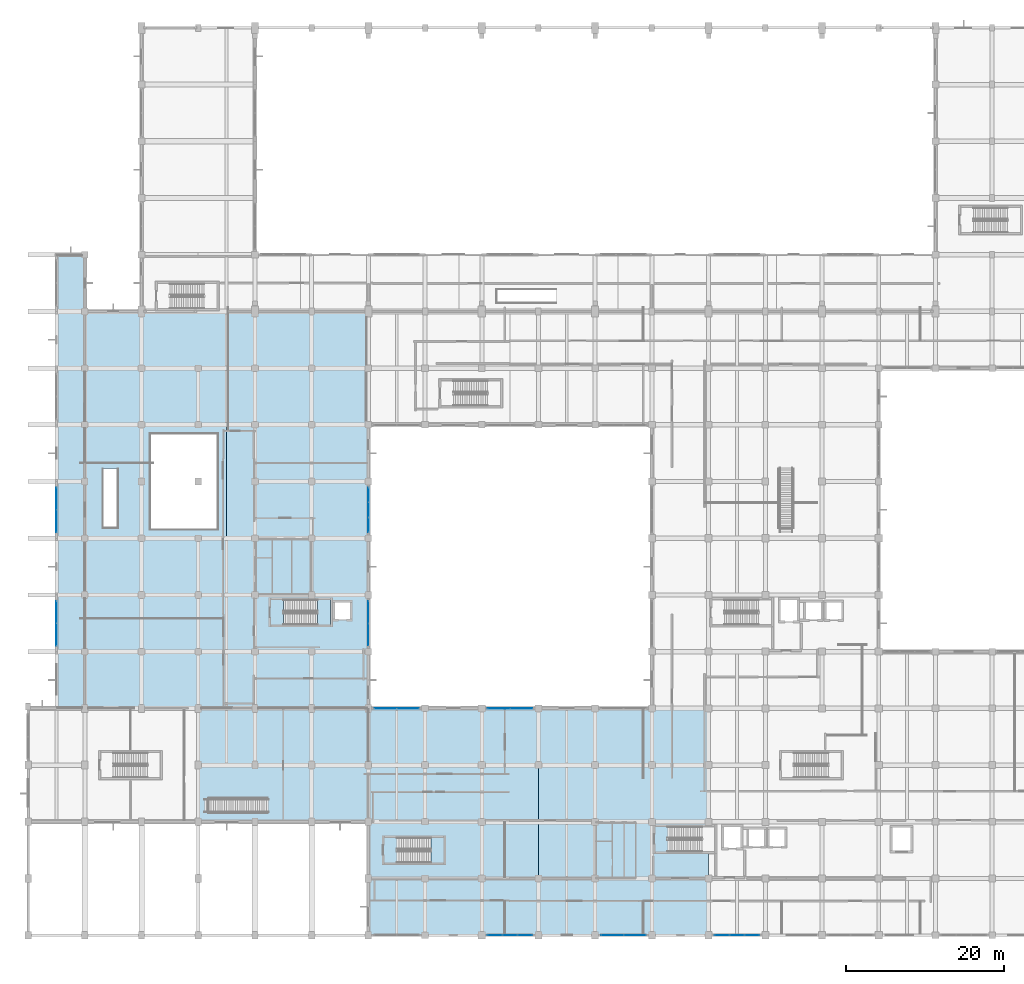
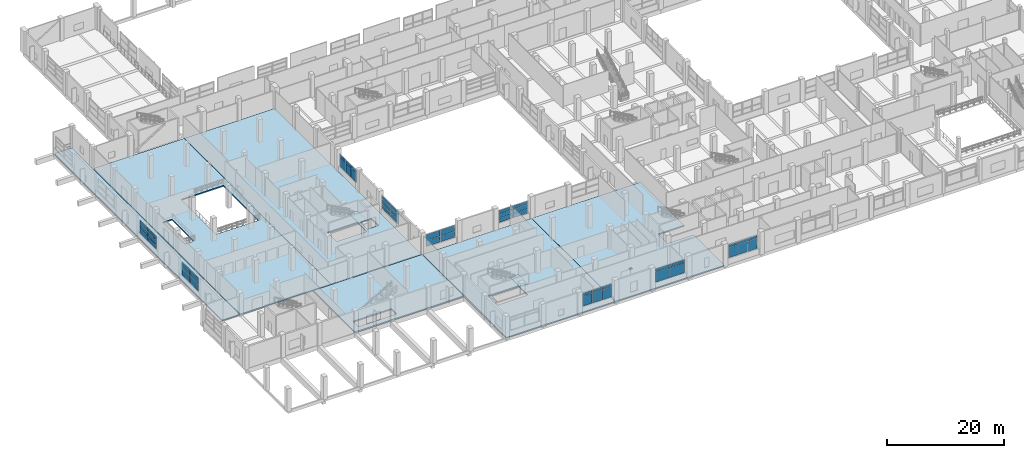
# One storey, part 146 of 181: 48 plates, 8 slabs, 11 elements without a shape of their own.
"""IFC4 building model written with IfcOpenShell, lengths in metres."""

import ifcopenshell
import ifcopenshell.guid

model = None  # the IFC model being written
_history = None  # IfcOwnerHistory: only IFC2X3 demands one
_inside = {}  # id of a spatial element -> (the spatial element, [elements in it])
_under = {}  # id of a project, library or spatial element -> (it, [spatial elements below it])
_declared = {}  # id of a project -> (the project, [libraries it declares])
_typed = {}  # id of a type object -> (the type object, [elements of that type])
_made_of = {}  # id of a material, layer set ... -> (it, [elements and type objects made of it])


def new_model(schema):
    """Start an empty IFC model of exactly this schema.

    Asked for "IFC4X3", IfcOpenShell would pick the latest addendum, in which some entities
    have other attributes; the version numbers below select the first issue.
    IFC2X3 requires an IfcOwnerHistory on every rooted entity: one is made here for all.
    """
    global model, _history
    if schema == "IFC4X3":
        model = ifcopenshell.file(schema_version=(4, 3, 0, 0))
    else:
        model = ifcopenshell.file(schema=schema)
    _inside.clear()
    _under.clear()
    _declared.clear()
    _typed.clear()
    _made_of.clear()
    _history = None
    if model.schema == "IFC2X3":
        org = make("IfcOrganization", Name="unknown")
        user = make(
            "IfcPersonAndOrganization",
            ThePerson=make("IfcPerson", FamilyName="unknown"),
            TheOrganization=org,
        )
        app = make(
            "IfcApplication",
            ApplicationDeveloper=org,
            Version="unknown",
            ApplicationFullName="unknown",
            ApplicationIdentifier="unknown",
        )
        _history = make(
            "IfcOwnerHistory",
            OwningUser=user,
            OwningApplication=app,
            ChangeAction="ADDED",
            CreationDate=0,
        )
    return model


def make(cls, **values):
    """One entity of the class cls with the attributes given. An attribute that is None is left unset."""
    return model.create_entity(
        cls, **{name: value for name, value in values.items() if value is not None}
    )


def rooted(cls, **values):
    """An entity with a GlobalId (a new one), such as an element, a storey or a relation."""
    return make(cls, GlobalId=ifcopenshell.guid.new(), OwnerHistory=_history, **values)


def si_unit(unit_type, name, prefix=None):
    """IfcSIUnit, for example si_unit("LENGTHUNIT", "METRE", prefix="MILLI")."""
    return make("IfcSIUnit", UnitType=unit_type, Prefix=prefix, Name=name)


def assignment(units):
    """IfcUnitAssignment: the units of a project."""
    return None if units is None else make("IfcUnitAssignment", Units=units)


def point(xyz):
    """IfcCartesianPoint."""
    return None if xyz is None else make("IfcCartesianPoint", Coordinates=xyz)


def direction(xyz):
    """IfcDirection."""
    return None if xyz is None else make("IfcDirection", DirectionRatios=xyz)


def frame(location, z_axis=None, x_axis=None):
    """IfcAxis2Placement3D, a coordinate frame: its origin and axes. An axis left out is left unset."""
    return make(
        "IfcAxis2Placement3D",
        Location=point(location),
        Axis=direction(z_axis),
        RefDirection=direction(x_axis),
    )


def frame_2d(location, x_axis=None):
    """IfcAxis2Placement2D, a coordinate frame in the plane: its origin and x axis."""
    return make(
        "IfcAxis2Placement2D", Location=point(location), RefDirection=direction(x_axis)
    )


def origin():
    """The frame at (0, 0, 0) with its axes left unset."""
    return frame((0.0, 0.0, 0.0))


def origin_2d():
    """The frame at (0, 0) in the plane with its x axis left unset."""
    return frame_2d((0.0, 0.0))


def place(relative_to, where):
    """IfcLocalPlacement: puts the frame where relative to a parent placement (None: the world)."""
    return make(
        "IfcLocalPlacement", PlacementRelTo=relative_to, RelativePlacement=where
    )


def context(
    kind, dimensions, precision=None, world=None, true_north=None, identifier=None
):
    """IfcGeometricRepresentationContext, for example the 3D "Model" context."""
    return make(
        "IfcGeometricRepresentationContext",
        ContextIdentifier=identifier,
        ContextType=kind,
        CoordinateSpaceDimension=dimensions,
        Precision=precision,
        WorldCoordinateSystem=world,
        TrueNorth=true_north,
    )


def subcontext(parent, identifier, kind, view, scale=None):
    """IfcGeometricRepresentationSubContext, for example "Body" below "Model"."""
    return make(
        "IfcGeometricRepresentationSubContext",
        ContextIdentifier=identifier,
        ContextType=kind,
        ParentContext=parent,
        TargetScale=scale,
        TargetView=view,
    )


def project(units=None, contexts=None):
    """IfcProject with its units and contexts."""
    return rooted(
        "IfcProject",
        Name="project",
        RepresentationContexts=contexts,
        UnitsInContext=assignment(units),
    )


def spatial(cls, under=None, at=None, **own):
    """A site, building, storey or space (cls), placed at a placement, below another one or the project."""
    s = rooted(cls, ObjectPlacement=at, **own)
    if under is not None:
        _under.setdefault(under.id(), (under, []))[1].append(s)
    return s


def polyline(points):
    """IfcPolyline through the points."""
    return make("IfcPolyline", Points=[point(p) for p in points])


def profile(cls, at=None, kind="AREA", **sizes):
    """A parametric profile (cls). Its sizes go by their IFC names, for example OverallWidth=200.0."""
    return make(cls, ProfileType=kind, Position=at, **sizes)


def rectangle(**sizes):
    """IfcRectangleProfileDef."""
    return profile("IfcRectangleProfileDef", **sizes)


def outline(outer, holes=None, kind="AREA"):
    """IfcArbitraryClosedProfileDef: a profile drawn as a closed curve; with holes, ...WithVoids."""
    if holes is None:
        return make("IfcArbitraryClosedProfileDef", ProfileType=kind, OuterCurve=outer)
    return make(
        "IfcArbitraryProfileDefWithVoids",
        ProfileType=kind,
        OuterCurve=outer,
        InnerCurves=holes,
    )


def extrude(swept, where, along, depth):
    """IfcExtrudedAreaSolid: the profile swept, set in the frame where, extruded along a direction by depth."""
    return make(
        "IfcExtrudedAreaSolid",
        SweptArea=swept,
        Position=where,
        ExtrudedDirection=direction(along),
        Depth=depth,
    )


def shape(context_of_items, identifier, shape_type, items):
    """IfcShapeRepresentation: the items that make up one representation, for example the "Body"."""
    return make(
        "IfcShapeRepresentation",
        ContextOfItems=context_of_items,
        RepresentationIdentifier=identifier,
        RepresentationType=shape_type,
        Items=items,
    )


def material(Name=None, Category=None):
    """IfcMaterial."""
    return make("IfcMaterial", Name=Name, Category=Category)


def layer(
    of_material, thickness, ventilated=None, Name=None, Category=None, Priority=None
):
    """IfcMaterialLayer: one layer of a wall or slab, of a material (None: an air gap)."""
    return make(
        "IfcMaterialLayer",
        Material=of_material,
        LayerThickness=thickness,
        IsVentilated=ventilated,
        Name=Name,
        Category=Category,
        Priority=Priority,
    )


def layer_set(layers, Name=None):
    """IfcMaterialLayerSet."""
    return make("IfcMaterialLayerSet", MaterialLayers=layers, LayerSetName=Name)


def made_of(thing, what):
    """Note that an element or type object is made of a material, layer set ...; save() writes the relation."""
    if what is not None:
        _made_of.setdefault(what.id(), (what, []))[1].append(thing)
    return thing


def type_object(cls, material=None, **own):
    """A type object (cls), such as IfcWallType, which elements share."""
    return made_of(rooted(cls, **own), material)


def element(
    cls,
    number,
    at=None,
    inside=None,
    cuts=None,
    type_object=None,
    material=None,
    context=None,
    identifier="Body",
    shape_type=None,
    held_by="IfcProductDefinitionShape",
    body=None,
    shapes=None,
    **own,
):
    """One element of the class cls, such as IfcWall. Its Tag is "e" and its number.

    at: its placement. inside: the storey or other place that contains it. cuts: it is an
    opening in that element (IfcRelVoidsElement). A single representation is given by context,
    identifier, shape_type and body (its items); several are given by shapes. held_by: the class
    of the entity that holds the representations. save() writes the other relations.
    """
    e = rooted(cls, Tag="e%d" % number, ObjectPlacement=at, **own)
    if body is not None:
        shapes = [shape(context, identifier, shape_type, body)]
    if shapes is not None:
        e.Representation = make(held_by, Representations=shapes)
    if inside is not None:
        _inside.setdefault(inside.id(), (inside, []))[1].append(e)
    if cuts is not None:
        rooted(
            "IfcRelVoidsElement", RelatingBuildingElement=cuts, RelatedOpeningElement=e
        )
    if type_object is not None:
        _typed.setdefault(type_object.id(), (type_object, []))[1].append(e)
    return made_of(e, material)


def aggregate(whole, parts):
    """IfcRelAggregates: a whole, such as a stair, and the parts it consists of."""
    return rooted("IfcRelAggregates", RelatingObject=whole, RelatedObjects=parts)


def save(model, path):
    """Write the relations noted so far, then the file.

    IfcRelAggregates (storeys below a building ...), IfcRelContainedInSpatialStructure (elements
    in a storey), IfcRelDefinesByType, IfcRelAssociatesMaterial and IfcRelDeclares: one each for
    every whole, place, type object, material and project.
    """
    for whole, parts in _under.values():
        aggregate(whole, parts)
    for where, things in _inside.values():
        rooted(
            "IfcRelContainedInSpatialStructure",
            RelatedElements=things,
            RelatingStructure=where,
        )
    for kind, things in _typed.values():
        rooted("IfcRelDefinesByType", RelatedObjects=things, RelatingType=kind)
    for what, things in _made_of.values():
        rooted("IfcRelAssociatesMaterial", RelatedObjects=things, RelatingMaterial=what)
    for by, libraries in _declared.values():
        rooted("IfcRelDeclares", RelatingContext=by, RelatedDefinitions=libraries)
    model.write(path)


model = new_model("IFC4")

# Units and contexts
model_context = context("Model", 3, precision=1e-05, world=origin(), true_north=direction((0.0, 1.0)))
body_context = subcontext(model_context, "Body", "Model", "MODEL_VIEW")
ifc_project = project(units=[si_unit("LENGTHUNIT", "METRE"), si_unit("AREAUNIT", "SQUARE_METRE"), si_unit("VOLUMEUNIT", "CUBIC_METRE"), si_unit("PLANEANGLEUNIT", "RADIAN"), si_unit("MASSUNIT", "GRAM", prefix="KILO")], contexts=[model_context])

# Site, building, storey
site_placement = place(None, origin())
site = spatial("IfcSite", under=ifc_project, at=site_placement, CompositionType="ELEMENT")
building_placement = place(site_placement, origin())
building = spatial("IfcBuilding", under=site, at=building_placement, Name="Seraya Terrace Polytechnic", CompositionType="ELEMENT")
storey_placement = place(building_placement, frame((0.0, 0.0, 4.800048828125)))
storey = spatial("IfcBuildingStorey", under=building, at=storey_placement, Name="L01", CompositionType="ELEMENT", Elevation=4.800048828125)

# Curtain wall, plates
ifc_material_1 = material(Name="Anodised aluminium EN AW-6063 T6", Category="aluminium")
ifc_layer_1 = layer(ifc_material_1, 0.179931640625, Name="CW-34")
ifc_layer_set_1 = layer_set([ifc_layer_1], Name="Anodised aluminium EN AW-6063 T6")
curtain_wall_type_1 = type_object("IfcCurtainWallType", Name="CW-34", PredefinedType="NOTDEFINED", material=ifc_layer_set_1)
curtain_wall_1_placement = place(storey_placement, origin())
curtain_wall_1 = element("IfcCurtainWall", 1, at=curtain_wall_1_placement, inside=storey, type_object=curtain_wall_type_1, Name="Unitised curtain wall CW-34 (CW-L01-034)", PredefinedType="NOTDEFINED")
ifc_material_2 = material(Name="Laminated solar-control Low-E double glazing", Category="glass")
ifc_layer_2 = layer(ifc_material_2, 0.028076171875, Name="CWP-01")
ifc_layer_set_2 = layer_set([ifc_layer_2], Name="Laminated solar-control Low-E double glazing")
plate_type_1 = type_object("IfcPlateType", Name="CWP-01", PredefinedType="CURTAIN_PANEL", material=ifc_layer_set_2)
plate_1_placement = place(storey_placement, frame((63.103759765625, 0.0, 1.2998046875), z_axis=(0.0, 0.0, 1.0), x_axis=(-1.0, 0.0, 0.0)))
plate_1 = element("IfcPlate", 2, at=plate_1_placement, type_object=plate_type_1, Name="CW-34 panel 1.1", PredefinedType="CURTAIN_PANEL", context=body_context, shape_type="SweptSolid", body=[
    extrude(rectangle(XDim=1.822509765625, YDim=0.028076171875, at=origin_2d()), origin(), (0.0, 0.0, 1.0), 2.050048828125),
])
plate_2_placement = place(storey_placement, frame((63.103759765625, 0.0, 3.41015625), z_axis=(0.0, 0.0, 1.0), x_axis=(-1.0, 0.0, 0.0)))
plate_2 = element("IfcPlate", 3, at=plate_2_placement, type_object=plate_type_1, Name="CW-34 panel 1.2", PredefinedType="CURTAIN_PANEL", context=body_context, shape_type="SweptSolid", body=[
    extrude(rectangle(XDim=1.822509765625, YDim=0.028076171875, at=origin_2d()), origin(), (0.0, 0.0, 1.0), 0.530029296875),
])
plate_3_placement = place(storey_placement, frame((61.199951171875, 0.0, 1.2998046875), z_axis=(0.0, 0.0, 1.0), x_axis=(-1.0, 0.0, 0.0)))
plate_3 = element("IfcPlate", 4, at=plate_3_placement, type_object=plate_type_1, Name="CW-34 panel 2.1", PredefinedType="CURTAIN_PANEL", context=body_context, shape_type="SweptSolid", body=[
    extrude(rectangle(XDim=1.85498046875, YDim=0.028076171875, at=origin_2d()), origin(), (0.0, 0.0, 1.0), 2.050048828125),
])
plate_4_placement = place(storey_placement, frame((61.199951171875, 0.0, 3.41015625), z_axis=(0.0, 0.0, 1.0), x_axis=(-1.0, 0.0, 0.0)))
plate_4 = element("IfcPlate", 5, at=plate_4_placement, type_object=plate_type_1, Name="CW-34 panel 2.2", PredefinedType="CURTAIN_PANEL", context=body_context, shape_type="SweptSolid", body=[
    extrude(rectangle(XDim=1.85498046875, YDim=0.028076171875, at=origin_2d()), origin(), (0.0, 0.0, 1.0), 0.530029296875),
])
plate_5_placement = place(storey_placement, frame((59.296142578125, 0.0, 1.2998046875), z_axis=(0.0, 0.0, 1.0), x_axis=(-1.0, 0.0, 0.0)))
plate_5 = element("IfcPlate", 6, at=plate_5_placement, type_object=plate_type_1, Name="CW-34 panel 3.1", PredefinedType="CURTAIN_PANEL", context=body_context, shape_type="SweptSolid", body=[
    extrude(rectangle(XDim=1.822509765625, YDim=0.028076171875, at=origin_2d()), origin(), (0.0, 0.0, 1.0), 2.050048828125),
])
plate_6_placement = place(storey_placement, frame((59.296142578125, 0.0, 3.41015625), z_axis=(0.0, 0.0, 1.0), x_axis=(-1.0, 0.0, 0.0)))
plate_6 = element("IfcPlate", 7, at=plate_6_placement, type_object=plate_type_1, Name="CW-34 panel 3.2", PredefinedType="CURTAIN_PANEL", context=body_context, shape_type="SweptSolid", body=[
    extrude(rectangle(XDim=1.822509765625, YDim=0.028076171875, at=origin_2d()), origin(), (0.0, 0.0, 1.0), 0.530029296875),
])
aggregate(curtain_wall_1, [plate_1, plate_2, plate_3, plate_4, plate_5, plate_6])

ifc_layer_3 = layer(ifc_material_1, 0.179931640625, Name="CW-01")
ifc_layer_set_3 = layer_set([ifc_layer_3], Name="Anodised aluminium EN AW-6063 T6")
curtain_wall_type_2 = type_object("IfcCurtainWallType", Name="CW-01", PredefinedType="NOTDEFINED", material=ifc_layer_set_3)
curtain_wall_2_placement = place(storey_placement, origin())
curtain_wall_2 = element("IfcCurtainWall", 8, at=curtain_wall_2_placement, inside=storey, type_object=curtain_wall_type_2, Name="Unitised curtain wall CW-01 (CW-L01-037)", PredefinedType="NOTDEFINED")
plate_7_placement = place(storey_placement, frame((43.199951171875, 41.023681640625, 1.2998046875), z_axis=(0.0, 0.0, 1.0), x_axis=(0.0, -1.0, 0.0)))
plate_7 = element("IfcPlate", 9, at=plate_7_placement, type_object=plate_type_1, Name="CW-01 panel 1.1", PredefinedType="CURTAIN_PANEL", context=body_context, shape_type="SweptSolid", body=[
    extrude(rectangle(XDim=2.782470703125, YDim=0.028076171875, at=origin_2d()), origin(), (0.0, 0.0, 1.0), 0.92529296875),
])
plate_8_placement = place(storey_placement, frame((43.199951171875, 41.023681640625, 2.28515625), z_axis=(0.0, 0.0, 1.0), x_axis=(0.0, -1.0, 0.0)))
plate_8 = element("IfcPlate", 10, at=plate_8_placement, type_object=plate_type_1, Name="CW-01 panel 1.2", PredefinedType="CURTAIN_PANEL", context=body_context, shape_type="SweptSolid", body=[
    extrude(rectangle(XDim=2.782470703125, YDim=0.028076171875, at=origin_2d()), origin(), (0.0, 0.0, 1.0), 0.955078125),
])
plate_9_placement = place(storey_placement, frame((43.199951171875, 41.023681640625, 3.30029296875), z_axis=(0.0, 0.0, 1.0), x_axis=(0.0, -1.0, 0.0)))
plate_9 = element("IfcPlate", 11, at=plate_9_placement, type_object=plate_type_1, Name="CW-01 panel 1.3", PredefinedType="CURTAIN_PANEL", context=body_context, shape_type="SweptSolid", body=[
    extrude(rectangle(XDim=2.782470703125, YDim=0.028076171875, at=origin_2d()), origin(), (0.0, 0.0, 1.0), 0.69970703125),
])
plate_10_placement = place(storey_placement, frame((43.199951171875, 38.17626953125, 1.2998046875), z_axis=(0.0, 0.0, 1.0), x_axis=(0.0, -1.0, 0.0)))
plate_10 = element("IfcPlate", 12, at=plate_10_placement, type_object=plate_type_1, Name="CW-01 panel 2.1", PredefinedType="CURTAIN_PANEL", context=body_context, shape_type="SweptSolid", body=[
    extrude(rectangle(XDim=2.782470703125, YDim=0.028076171875, at=origin_2d()), origin(), (0.0, 0.0, 1.0), 0.92529296875),
])
plate_11_placement = place(storey_placement, frame((43.199951171875, 38.17626953125, 2.28515625), z_axis=(0.0, 0.0, 1.0), x_axis=(0.0, -1.0, 0.0)))
plate_11 = element("IfcPlate", 13, at=plate_11_placement, type_object=plate_type_1, Name="CW-01 panel 2.2", PredefinedType="CURTAIN_PANEL", context=body_context, shape_type="SweptSolid", body=[
    extrude(rectangle(XDim=2.782470703125, YDim=0.028076171875, at=origin_2d()), origin(), (0.0, 0.0, 1.0), 0.955078125),
])
plate_12_placement = place(storey_placement, frame((43.199951171875, 38.17626953125, 3.30029296875), z_axis=(0.0, 0.0, 1.0), x_axis=(0.0, -1.0, 0.0)))
plate_12 = element("IfcPlate", 14, at=plate_12_placement, type_object=plate_type_1, Name="CW-01 panel 2.3", PredefinedType="CURTAIN_PANEL", context=body_context, shape_type="SweptSolid", body=[
    extrude(rectangle(XDim=2.782470703125, YDim=0.028076171875, at=origin_2d()), origin(), (0.0, 0.0, 1.0), 0.69970703125),
])
aggregate(curtain_wall_2, [plate_7, plate_8, plate_9, plate_10, plate_11, plate_12])

ifc_layer_4 = layer(ifc_material_1, 0.179931640625, Name="CW-02")
ifc_layer_set_4 = layer_set([ifc_layer_4], Name="Anodised aluminium EN AW-6063 T6")
curtain_wall_type_3 = type_object("IfcCurtainWallType", Name="CW-02", PredefinedType="NOTDEFINED", material=ifc_layer_set_4)
curtain_wall_3_placement = place(storey_placement, origin())
curtain_wall_3 = element("IfcCurtainWall", 15, at=curtain_wall_3_placement, inside=storey, type_object=curtain_wall_type_3, Name="Unitised curtain wall CW-02 (CW-L01-002)", PredefinedType="NOTDEFINED")
ifc_layer_5 = layer(ifc_material_2, 0.031982421875, Name="CWP-02")
ifc_layer_set_5 = layer_set([ifc_layer_5], Name="Laminated solar-control Low-E double glazing")
plate_type_2 = type_object("IfcPlateType", Name="CWP-02", PredefinedType="CURTAIN_PANEL", material=ifc_layer_set_5)
plate_13_placement = place(storey_placement, frame((3.60009765625, 38.175048828125, 1.2998046875), z_axis=(0.0, 0.0, 1.0), x_axis=(0.0, 1.0, 0.0)))
plate_13 = element("IfcPlate", 16, at=plate_13_placement, type_object=plate_type_2, Name="CW-02 panel 1.1", PredefinedType="CURTAIN_PANEL", context=body_context, shape_type="SweptSolid", body=[
    extrude(rectangle(XDim=2.7900390625, YDim=0.031982421875, at=origin_2d()), origin(), (0.0, 0.0, 1.0), 1.330078125),
])
plate_14_placement = place(storey_placement, frame((3.60009765625, 38.175048828125, 2.68994140625), z_axis=(0.0, 0.0, 1.0), x_axis=(0.0, 1.0, 0.0)))
plate_14 = element("IfcPlate", 17, at=plate_14_placement, type_object=plate_type_2, Name="CW-02 panel 1.2", PredefinedType="CURTAIN_PANEL", context=body_context, shape_type="SweptSolid", body=[
    extrude(rectangle(XDim=2.7900390625, YDim=0.031982421875, at=origin_2d()), origin(), (0.0, 0.0, 1.0), 1.330078125),
])
plate_15_placement = place(storey_placement, frame((3.60009765625, 41.02490234375, 1.2998046875), z_axis=(0.0, 0.0, 1.0), x_axis=(0.0, 1.0, 0.0)))
plate_15 = element("IfcPlate", 18, at=plate_15_placement, type_object=plate_type_2, Name="CW-02 panel 2.1", PredefinedType="CURTAIN_PANEL", context=body_context, shape_type="SweptSolid", body=[
    extrude(rectangle(XDim=2.7900390625, YDim=0.031982421875, at=origin_2d()), origin(), (0.0, 0.0, 1.0), 1.330078125),
])
plate_16_placement = place(storey_placement, frame((3.60009765625, 41.02490234375, 2.68994140625), z_axis=(0.0, 0.0, 1.0), x_axis=(0.0, 1.0, 0.0)))
plate_16 = element("IfcPlate", 19, at=plate_16_placement, type_object=plate_type_2, Name="CW-02 panel 2.2", PredefinedType="CURTAIN_PANEL", context=body_context, shape_type="SweptSolid", body=[
    extrude(rectangle(XDim=2.7900390625, YDim=0.031982421875, at=origin_2d()), origin(), (0.0, 0.0, 1.0), 1.330078125),
])
aggregate(curtain_wall_3, [plate_13, plate_14, plate_15, plate_16])

ifc_layer_6 = layer(ifc_material_1, 0.179931640625, Name="CW-32")
ifc_layer_set_6 = layer_set([ifc_layer_6], Name="Anodised aluminium EN AW-6063 T6")
curtain_wall_type_4 = type_object("IfcCurtainWallType", Name="CW-32", PredefinedType="NOTDEFINED", material=ifc_layer_set_6)
curtain_wall_4_placement = place(storey_placement, origin())
curtain_wall_4 = element("IfcCurtainWall", 20, at=curtain_wall_4_placement, inside=storey, type_object=curtain_wall_type_4, Name="Unitised curtain wall CW-32 (CW-L01-032)", PredefinedType="NOTDEFINED")
plate_17_placement = place(storey_placement, frame((91.905029296875, 0.0, 1.300048828125), z_axis=(0.0, 0.0, 1.0), x_axis=(-1.0, 0.0, 0.0)))
plate_17 = element("IfcPlate", 21, at=plate_17_placement, type_object=plate_type_2, Name="CW-32 panel 1.1", PredefinedType="CURTAIN_PANEL", context=body_context, shape_type="SweptSolid", body=[
    extrude(rectangle(XDim=1.830078125, YDim=0.031982421875, at=origin_2d()), origin(), (0.0, 0.0, 1.0), 2.1298828125),
])
plate_18_placement = place(storey_placement, frame((91.905029296875, 0.0, 3.48974609375), z_axis=(0.0, 0.0, 1.0), x_axis=(-1.0, 0.0, 0.0)))
plate_18 = element("IfcPlate", 22, at=plate_18_placement, type_object=plate_type_2, Name="CW-32 panel 1.2", PredefinedType="CURTAIN_PANEL", context=body_context, shape_type="SweptSolid", body=[
    extrude(rectangle(XDim=1.830078125, YDim=0.031982421875, at=origin_2d()), origin(), (0.0, 0.0, 1.0), 0.530029296875),
])
plate_19_placement = place(storey_placement, frame((90.0, 0.0, 1.300048828125), z_axis=(0.0, 0.0, 1.0), x_axis=(-1.0, 0.0, 0.0)))
plate_19 = element("IfcPlate", 23, at=plate_19_placement, type_object=plate_type_2, Name="CW-32 panel 2.1", PredefinedType="CURTAIN_PANEL", context=body_context, shape_type="SweptSolid", body=[
    extrude(rectangle(XDim=1.860107421875, YDim=0.031982421875, at=origin_2d()), origin(), (0.0, 0.0, 1.0), 2.1298828125),
])
plate_20_placement = place(storey_placement, frame((90.0, 0.0, 3.48974609375), z_axis=(0.0, 0.0, 1.0), x_axis=(-1.0, 0.0, 0.0)))
plate_20 = element("IfcPlate", 24, at=plate_20_placement, type_object=plate_type_2, Name="CW-32 panel 2.2", PredefinedType="CURTAIN_PANEL", context=body_context, shape_type="SweptSolid", body=[
    extrude(rectangle(XDim=1.860107421875, YDim=0.031982421875, at=origin_2d()), origin(), (0.0, 0.0, 1.0), 0.530029296875),
])
plate_21_placement = place(storey_placement, frame((88.094970703125, 0.0, 1.300048828125), z_axis=(0.0, 0.0, 1.0), x_axis=(-1.0, 0.0, 0.0)))
plate_21 = element("IfcPlate", 25, at=plate_21_placement, type_object=plate_type_2, Name="CW-32 panel 3.1", PredefinedType="CURTAIN_PANEL", context=body_context, shape_type="SweptSolid", body=[
    extrude(rectangle(XDim=1.830078125, YDim=0.031982421875, at=origin_2d()), origin(), (0.0, 0.0, 1.0), 2.1298828125),
])
plate_22_placement = place(storey_placement, frame((88.094970703125, 0.0, 3.48974609375), z_axis=(0.0, 0.0, 1.0), x_axis=(-1.0, 0.0, 0.0)))
plate_22 = element("IfcPlate", 26, at=plate_22_placement, type_object=plate_type_2, Name="CW-32 panel 3.2", PredefinedType="CURTAIN_PANEL", context=body_context, shape_type="SweptSolid", body=[
    extrude(rectangle(XDim=1.830078125, YDim=0.031982421875, at=origin_2d()), origin(), (0.0, 0.0, 1.0), 0.530029296875),
])
aggregate(curtain_wall_4, [plate_17, plate_18, plate_19, plate_20, plate_21, plate_22])

curtain_wall_5_placement = place(storey_placement, origin())
curtain_wall_5 = element("IfcCurtainWall", 27, at=curtain_wall_5_placement, inside=storey, type_object=curtain_wall_type_3, Name="Unitised curtain wall CW-02 (CW-L01-038)", PredefinedType="NOTDEFINED")
plate_23_placement = place(storey_placement, frame((45.375, 28.800048828125, 1.300048828125), z_axis=(0.0, 0.0, 1.0), x_axis=(1.0, 0.0, 0.0)))
plate_23 = element("IfcPlate", 28, at=plate_23_placement, type_object=plate_type_2, Name="CW-02 panel 1.1", PredefinedType="CURTAIN_PANEL", context=body_context, shape_type="SweptSolid", body=[
    extrude(rectangle(XDim=2.7900390625, YDim=0.031982421875, at=origin_2d()), origin(), (0.0, 0.0, 1.0), 1.22998046875),
])
plate_24_placement = place(storey_placement, frame((45.375, 28.800048828125, 2.58984375), z_axis=(0.0, 0.0, 1.0), x_axis=(1.0, 0.0, 0.0)))
plate_24 = element("IfcPlate", 29, at=plate_24_placement, type_object=plate_type_2, Name="CW-02 panel 1.2", PredefinedType="CURTAIN_PANEL", context=body_context, shape_type="SweptSolid", body=[
    extrude(rectangle(XDim=2.7900390625, YDim=0.031982421875, at=origin_2d()), origin(), (0.0, 0.0, 1.0), 1.22998046875),
])
plate_25_placement = place(storey_placement, frame((48.22509765625, 28.800048828125, 1.300048828125), z_axis=(0.0, 0.0, 1.0), x_axis=(1.0, 0.0, 0.0)))
plate_25 = element("IfcPlate", 30, at=plate_25_placement, type_object=plate_type_2, Name="CW-02 panel 2.1", PredefinedType="CURTAIN_PANEL", context=body_context, shape_type="SweptSolid", body=[
    extrude(rectangle(XDim=2.7900390625, YDim=0.031982421875, at=origin_2d()), origin(), (0.0, 0.0, 1.0), 1.22998046875),
])
plate_26_placement = place(storey_placement, frame((48.22509765625, 28.800048828125, 2.58984375), z_axis=(0.0, 0.0, 1.0), x_axis=(1.0, 0.0, 0.0)))
plate_26 = element("IfcPlate", 31, at=plate_26_placement, type_object=plate_type_2, Name="CW-02 panel 2.2", PredefinedType="CURTAIN_PANEL", context=body_context, shape_type="SweptSolid", body=[
    extrude(rectangle(XDim=2.7900390625, YDim=0.031982421875, at=origin_2d()), origin(), (0.0, 0.0, 1.0), 1.22998046875),
])
aggregate(curtain_wall_5, [plate_23, plate_24, plate_25, plate_26])

ifc_layer_7 = layer(ifc_material_1, 0.179931640625, Name="CW-03")
ifc_layer_set_7 = layer_set([ifc_layer_7], Name="Anodised aluminium EN AW-6063 T6")
curtain_wall_type_5 = type_object("IfcCurtainWallType", Name="CW-03", PredefinedType="NOTDEFINED", material=ifc_layer_set_7)
curtain_wall_6_placement = place(storey_placement, origin())
curtain_wall_6 = element("IfcCurtainWall", 32, at=curtain_wall_6_placement, inside=storey, type_object=curtain_wall_type_5, Name="Unitised curtain wall CW-03 (CW-L01-003)", PredefinedType="NOTDEFINED")
ifc_layer_8 = layer(ifc_material_2, 0.035888671875, Name="CWP-03")
ifc_layer_set_8 = layer_set([ifc_layer_8], Name="Laminated solar-control Low-E double glazing")
plate_type_3 = type_object("IfcPlateType", Name="CWP-03", PredefinedType="CURTAIN_PANEL", material=ifc_layer_set_8)
plate_27_placement = place(storey_placement, frame((3.60009765625, 52.574951171875, 1.294921875), z_axis=(0.0, 0.0, 1.0), x_axis=(0.0, 1.0, 0.0)))
plate_27 = element("IfcPlate", 33, at=plate_27_placement, type_object=plate_type_3, Name="CW-03 panel 1.1", PredefinedType="CURTAIN_PANEL", context=body_context, shape_type="SweptSolid", body=[
    extrude(rectangle(XDim=2.7900390625, YDim=0.035888671875, at=origin_2d()), origin(), (0.0, 0.0, 1.0), 0.925537109375),
])
plate_28_placement = place(storey_placement, frame((3.60009765625, 52.574951171875, 2.275390625), z_axis=(0.0, 0.0, 1.0), x_axis=(0.0, 1.0, 0.0)))
plate_28 = element("IfcPlate", 34, at=plate_28_placement, type_object=plate_type_3, Name="CW-03 panel 1.2", PredefinedType="CURTAIN_PANEL", context=body_context, shape_type="SweptSolid", body=[
    extrude(rectangle(XDim=2.7900390625, YDim=0.035888671875, at=origin_2d()), origin(), (0.0, 0.0, 1.0), 0.952880859375),
])
plate_29_placement = place(storey_placement, frame((3.60009765625, 52.574951171875, 3.28369140625), z_axis=(0.0, 0.0, 1.0), x_axis=(0.0, 1.0, 0.0)))
plate_29 = element("IfcPlate", 35, at=plate_29_placement, type_object=plate_type_3, Name="CW-03 panel 1.3", PredefinedType="CURTAIN_PANEL", context=body_context, shape_type="SweptSolid", body=[
    extrude(rectangle(XDim=2.7900390625, YDim=0.035888671875, at=origin_2d()), origin(), (0.0, 0.0, 1.0), 0.701416015625),
])
plate_30_placement = place(storey_placement, frame((3.60009765625, 55.425048828125, 1.294921875), z_axis=(0.0, 0.0, 1.0), x_axis=(0.0, 1.0, 0.0)))
plate_30 = element("IfcPlate", 36, at=plate_30_placement, type_object=plate_type_3, Name="CW-03 panel 2.1", PredefinedType="CURTAIN_PANEL", context=body_context, shape_type="SweptSolid", body=[
    extrude(rectangle(XDim=2.7900390625, YDim=0.035888671875, at=origin_2d()), origin(), (0.0, 0.0, 1.0), 0.925537109375),
])
plate_31_placement = place(storey_placement, frame((3.60009765625, 55.425048828125, 2.275390625), z_axis=(0.0, 0.0, 1.0), x_axis=(0.0, 1.0, 0.0)))
plate_31 = element("IfcPlate", 37, at=plate_31_placement, type_object=plate_type_3, Name="CW-03 panel 2.2", PredefinedType="CURTAIN_PANEL", context=body_context, shape_type="SweptSolid", body=[
    extrude(rectangle(XDim=2.7900390625, YDim=0.035888671875, at=origin_2d()), origin(), (0.0, 0.0, 1.0), 0.952880859375),
])
plate_32_placement = place(storey_placement, frame((3.60009765625, 55.425048828125, 3.28369140625), z_axis=(0.0, 0.0, 1.0), x_axis=(0.0, 1.0, 0.0)))
plate_32 = element("IfcPlate", 38, at=plate_32_placement, type_object=plate_type_3, Name="CW-03 panel 2.3", PredefinedType="CURTAIN_PANEL", context=body_context, shape_type="SweptSolid", body=[
    extrude(rectangle(XDim=2.7900390625, YDim=0.035888671875, at=origin_2d()), origin(), (0.0, 0.0, 1.0), 0.701416015625),
])
aggregate(curtain_wall_6, [plate_27, plate_28, plate_29, plate_30, plate_31, plate_32])

ifc_layer_9 = layer(ifc_material_1, 0.179931640625, Name="CW-33")
ifc_layer_set_9 = layer_set([ifc_layer_9], Name="Anodised aluminium EN AW-6063 T6")
curtain_wall_type_6 = type_object("IfcCurtainWallType", Name="CW-33", PredefinedType="NOTDEFINED", material=ifc_layer_set_9)
curtain_wall_7_placement = place(storey_placement, origin())
curtain_wall_7 = element("IfcCurtainWall", 39, at=curtain_wall_7_placement, inside=storey, type_object=curtain_wall_type_6, Name="Unitised curtain wall CW-33 (CW-L01-033)", PredefinedType="NOTDEFINED")
plate_33_placement = place(storey_placement, frame((77.02490234375, 0.0, 1.294921875), z_axis=(0.0, 0.0, 1.0), x_axis=(-1.0, 0.0, 0.0)))
plate_33 = element("IfcPlate", 40, at=plate_33_placement, type_object=plate_type_3, Name="CW-33 panel 1.1", PredefinedType="CURTAIN_PANEL", context=body_context, shape_type="SweptSolid", body=[
    extrude(rectangle(XDim=2.7900390625, YDim=0.035888671875, at=origin_2d()), origin(), (0.0, 0.0, 1.0), 2.097412109375),
])
plate_34_placement = place(storey_placement, frame((77.02490234375, 0.0, 3.447509765625), z_axis=(0.0, 0.0, 1.0), x_axis=(-1.0, 0.0, 0.0)))
plate_34 = element("IfcPlate", 41, at=plate_34_placement, type_object=plate_type_3, Name="CW-33 panel 1.2", PredefinedType="CURTAIN_PANEL", context=body_context, shape_type="SweptSolid", body=[
    extrude(rectangle(XDim=2.7900390625, YDim=0.035888671875, at=origin_2d()), origin(), (0.0, 0.0, 1.0), 0.53759765625),
])
plate_35_placement = place(storey_placement, frame((74.175048828125, 0.0, 1.294921875), z_axis=(0.0, 0.0, 1.0), x_axis=(-1.0, 0.0, 0.0)))
plate_35 = element("IfcPlate", 42, at=plate_35_placement, type_object=plate_type_3, Name="CW-33 panel 2.1", PredefinedType="CURTAIN_PANEL", context=body_context, shape_type="SweptSolid", body=[
    extrude(rectangle(XDim=2.7900390625, YDim=0.035888671875, at=origin_2d()), origin(), (0.0, 0.0, 1.0), 2.097412109375),
])
plate_36_placement = place(storey_placement, frame((74.175048828125, 0.0, 3.447509765625), z_axis=(0.0, 0.0, 1.0), x_axis=(-1.0, 0.0, 0.0)))
plate_36 = element("IfcPlate", 43, at=plate_36_placement, type_object=plate_type_3, Name="CW-33 panel 2.2", PredefinedType="CURTAIN_PANEL", context=body_context, shape_type="SweptSolid", body=[
    extrude(rectangle(XDim=2.7900390625, YDim=0.035888671875, at=origin_2d()), origin(), (0.0, 0.0, 1.0), 0.53759765625),
])
aggregate(curtain_wall_7, [plate_33, plate_34, plate_35, plate_36])

ifc_layer_10 = layer(ifc_material_1, 0.179931640625, Name="CW-36")
ifc_layer_set_10 = layer_set([ifc_layer_10], Name="Anodised aluminium EN AW-6063 T6")
curtain_wall_type_7 = type_object("IfcCurtainWallType", Name="CW-36", PredefinedType="NOTDEFINED", material=ifc_layer_set_10)
curtain_wall_8_placement = place(storey_placement, origin())
curtain_wall_8 = element("IfcCurtainWall", 44, at=curtain_wall_8_placement, inside=storey, type_object=curtain_wall_type_7, Name="Unitised curtain wall CW-36 (CW-L01-036)", PredefinedType="NOTDEFINED")
plate_37_placement = place(storey_placement, frame((43.199951171875, 55.905029296875, 1.294921875), z_axis=(0.0, 0.0, 1.0), x_axis=(0.0, -1.0, 0.0)))
plate_37 = element("IfcPlate", 45, at=plate_37_placement, type_object=plate_type_3, Name="CW-36 panel 1.1", PredefinedType="CURTAIN_PANEL", context=body_context, shape_type="SweptSolid", body=[
    extrude(rectangle(XDim=1.830078125, YDim=0.035888671875, at=origin_2d()), origin(), (0.0, 0.0, 1.0), 1.9775390625),
])
plate_38_placement = place(storey_placement, frame((43.199951171875, 55.905029296875, 3.327392578125), z_axis=(0.0, 0.0, 1.0), x_axis=(0.0, -1.0, 0.0)))
plate_38 = element("IfcPlate", 46, at=plate_38_placement, type_object=plate_type_3, Name="CW-36 panel 1.2", PredefinedType="CURTAIN_PANEL", context=body_context, shape_type="SweptSolid", body=[
    extrude(rectangle(XDim=1.830078125, YDim=0.035888671875, at=origin_2d()), origin(), (0.0, 0.0, 1.0), 0.53759765625),
])
plate_39_placement = place(storey_placement, frame((43.199951171875, 54.0, 1.294921875), z_axis=(0.0, 0.0, 1.0), x_axis=(0.0, -1.0, 0.0)))
plate_39 = element("IfcPlate", 47, at=plate_39_placement, type_object=plate_type_3, Name="CW-36 panel 2.1", PredefinedType="CURTAIN_PANEL", context=body_context, shape_type="SweptSolid", body=[
    extrude(rectangle(XDim=1.860107421875, YDim=0.035888671875, at=origin_2d()), origin(), (0.0, 0.0, 1.0), 1.9775390625),
])
plate_40_placement = place(storey_placement, frame((43.199951171875, 54.0, 3.327392578125), z_axis=(0.0, 0.0, 1.0), x_axis=(0.0, -1.0, 0.0)))
plate_40 = element("IfcPlate", 48, at=plate_40_placement, type_object=plate_type_3, Name="CW-36 panel 2.2", PredefinedType="CURTAIN_PANEL", context=body_context, shape_type="SweptSolid", body=[
    extrude(rectangle(XDim=1.860107421875, YDim=0.035888671875, at=origin_2d()), origin(), (0.0, 0.0, 1.0), 0.53759765625),
])
plate_41_placement = place(storey_placement, frame((43.199951171875, 52.094970703125, 1.294921875), z_axis=(0.0, 0.0, 1.0), x_axis=(0.0, -1.0, 0.0)))
plate_41 = element("IfcPlate", 49, at=plate_41_placement, type_object=plate_type_3, Name="CW-36 panel 3.1", PredefinedType="CURTAIN_PANEL", context=body_context, shape_type="SweptSolid", body=[
    extrude(rectangle(XDim=1.830078125, YDim=0.035888671875, at=origin_2d()), origin(), (0.0, 0.0, 1.0), 1.9775390625),
])
plate_42_placement = place(storey_placement, frame((43.199951171875, 52.094970703125, 3.327392578125), z_axis=(0.0, 0.0, 1.0), x_axis=(0.0, -1.0, 0.0)))
plate_42 = element("IfcPlate", 50, at=plate_42_placement, type_object=plate_type_3, Name="CW-36 panel 3.2", PredefinedType="CURTAIN_PANEL", context=body_context, shape_type="SweptSolid", body=[
    extrude(rectangle(XDim=1.830078125, YDim=0.035888671875, at=origin_2d()), origin(), (0.0, 0.0, 1.0), 0.53759765625),
])
aggregate(curtain_wall_8, [plate_37, plate_38, plate_39, plate_40, plate_41, plate_42])

curtain_wall_9_placement = place(storey_placement, origin())
curtain_wall_9 = element("IfcCurtainWall", 51, at=curtain_wall_9_placement, inside=storey, type_object=curtain_wall_type_5, Name="Unitised curtain wall CW-03 (CW-L01-039)", PredefinedType="NOTDEFINED")
plate_43_placement = place(storey_placement, frame((59.77490234375, 28.800048828125, 1.294921875), z_axis=(0.0, 0.0, 1.0), x_axis=(1.0, 0.0, 0.0)))
plate_43 = element("IfcPlate", 52, at=plate_43_placement, type_object=plate_type_3, Name="CW-03 panel 1.1", PredefinedType="CURTAIN_PANEL", context=body_context, shape_type="SweptSolid", body=[
    extrude(rectangle(XDim=2.7900390625, YDim=0.035888671875, at=origin_2d()), origin(), (0.0, 0.0, 1.0), 0.867919921875),
])
plate_44_placement = place(storey_placement, frame((59.77490234375, 28.800048828125, 2.2177734375), z_axis=(0.0, 0.0, 1.0), x_axis=(1.0, 0.0, 0.0)))
plate_44 = element("IfcPlate", 53, at=plate_44_placement, type_object=plate_type_3, Name="CW-03 panel 1.2", PredefinedType="CURTAIN_PANEL", context=body_context, shape_type="SweptSolid", body=[
    extrude(rectangle(XDim=2.7900390625, YDim=0.035888671875, at=origin_2d()), origin(), (0.0, 0.0, 1.0), 0.8955078125),
])
plate_45_placement = place(storey_placement, frame((59.77490234375, 28.800048828125, 3.168212890625), z_axis=(0.0, 0.0, 1.0), x_axis=(1.0, 0.0, 0.0)))
plate_45 = element("IfcPlate", 54, at=plate_45_placement, type_object=plate_type_3, Name="CW-03 panel 1.3", PredefinedType="CURTAIN_PANEL", context=body_context, shape_type="SweptSolid", body=[
    extrude(rectangle(XDim=2.7900390625, YDim=0.035888671875, at=origin_2d()), origin(), (0.0, 0.0, 1.0), 0.65673828125),
])
plate_46_placement = place(storey_placement, frame((62.625, 28.800048828125, 1.294921875), z_axis=(0.0, 0.0, 1.0), x_axis=(1.0, 0.0, 0.0)))
plate_46 = element("IfcPlate", 55, at=plate_46_placement, type_object=plate_type_3, Name="CW-03 panel 2.1", PredefinedType="CURTAIN_PANEL", context=body_context, shape_type="SweptSolid", body=[
    extrude(rectangle(XDim=2.7900390625, YDim=0.035888671875, at=origin_2d()), origin(), (0.0, 0.0, 1.0), 0.867919921875),
])
plate_47_placement = place(storey_placement, frame((62.625, 28.800048828125, 2.2177734375), z_axis=(0.0, 0.0, 1.0), x_axis=(1.0, 0.0, 0.0)))
plate_47 = element("IfcPlate", 56, at=plate_47_placement, type_object=plate_type_3, Name="CW-03 panel 2.2", PredefinedType="CURTAIN_PANEL", context=body_context, shape_type="SweptSolid", body=[
    extrude(rectangle(XDim=2.7900390625, YDim=0.035888671875, at=origin_2d()), origin(), (0.0, 0.0, 1.0), 0.8955078125),
])
plate_48_placement = place(storey_placement, frame((62.625, 28.800048828125, 3.168212890625), z_axis=(0.0, 0.0, 1.0), x_axis=(1.0, 0.0, 0.0)))
plate_48 = element("IfcPlate", 57, at=plate_48_placement, type_object=plate_type_3, Name="CW-03 panel 2.3", PredefinedType="CURTAIN_PANEL", context=body_context, shape_type="SweptSolid", body=[
    extrude(rectangle(XDim=2.7900390625, YDim=0.035888671875, at=origin_2d()), origin(), (0.0, 0.0, 1.0), 0.65673828125),
])
aggregate(curtain_wall_9, [plate_43, plate_44, plate_45, plate_46, plate_47, plate_48])

# Slabs
ifc_material_3 = material(Name="Concrete C40/50", Category="concrete")
ifc_layer_11 = layer(ifc_material_3, 0.260009765625, Name="FS-02")
ifc_layer_set_11 = layer_set([ifc_layer_11], Name="Concrete C40/50")
slab_type_1 = type_object("IfcSlabType", Name="FS-02", PredefinedType="FLOOR", material=ifc_layer_set_11)
slab_1_placement = place(storey_placement, frame((0.0, 0.0, -0.260009765625)))
element("IfcSlab", 58, at=slab_1_placement, inside=storey, type_object=slab_type_1, Name="Floor slab SLB-V2-SOUTH-L01-S1 (FS-02)", PredefinedType="FLOOR", context=body_context, shape_type="SweptSolid", body=[
    extrude(outline(polyline([(43.260009765625, 28.739990234375), (64.800048828125, 28.739990234375), (64.800048828125, 0.06005859375), (43.260009765625, 0.06005859375), (43.260009765625, 28.739990234375)]), holes=[polyline([(46.840087890625, 12.39990234375), (46.840087890625, 9.199951171875), (52.800048828125, 9.199951171875), (52.800048828125, 12.39990234375), (46.840087890625, 12.39990234375)])]), origin(), (0.0, 0.0, 1.0), 0.260009765625),
])
slab_2_placement = place(storey_placement, frame((0.0, 0.0, -0.260009765625)))
element("IfcSlab", 59, at=slab_2_placement, inside=storey, type_object=slab_type_1, Name="Floor slab SLB-V2-SOUTH-L01-S2 (FS-02)", PredefinedType="FLOOR", context=body_context, shape_type="SweptSolid", body=[
    extrude(outline(polyline([(86.39990234375, 28.739990234375), (86.39990234375, 13.800048828125), (81.239990234375, 13.800048828125), (81.239990234375, 10.60009765625), (86.39990234375, 10.60009765625), (86.39990234375, 0.06005859375), (64.804931640625, 0.06005859375), (64.804931640625, 28.739990234375), (86.39990234375, 28.739990234375)]), holes=[polyline([(71.75, 7.449951171875), (71.75, 6.949951171875), (72.25, 6.949951171875), (72.25, 7.449951171875), (71.75, 7.449951171875)])]), origin(), (0.0, 0.0, 1.0), 0.260009765625),
])
ifc_layer_12 = layer(ifc_material_3, 0.25, Name="FS-03")
ifc_layer_set_12 = layer_set([ifc_layer_12], Name="Concrete C40/50")
slab_type_2 = type_object("IfcSlabType", Name="FS-03", PredefinedType="FLOOR", material=ifc_layer_set_12)
slab_3_placement = place(storey_placement, frame((0.0, 0.0, -0.25)))
element("IfcSlab", 60, at=slab_3_placement, inside=storey, type_object=slab_type_2, Name="Floor slab SLB-V2-WEST-L01-S1 (FS-03)", PredefinedType="FLOOR", context=body_context, shape_type="SweptSolid", body=[
    extrude(outline(polyline([(7.260009765625, 79.139892578125), (25.199951171875, 79.139892578125), (25.199951171875, 28.860107421875), (7.260009765625, 28.860107421875), (7.260009765625, 79.139892578125)]), holes=[polyline([(11.330078125, 59.280029296875), (9.550048828125, 59.280029296875), (9.550048828125, 51.760009765625), (11.330078125, 51.760009765625), (11.330078125, 59.280029296875)]), polyline([(24.0, 63.60009765625), (15.60009765625, 63.60009765625), (15.60009765625, 51.60009765625), (24.0, 51.60009765625), (24.0, 63.60009765625)])]), origin(), (0.0, 0.0, 1.0), 0.25),
])
slab_4_placement = place(storey_placement, frame((0.0, 0.0, -0.25)))
element("IfcSlab", 61, at=slab_4_placement, inside=storey, type_object=slab_type_2, Name="Floor slab SLB-V2-WEST-L01-S2 (FS-03)", PredefinedType="FLOOR", context=body_context, shape_type="SweptSolid", body=[
    extrude(outline(polyline([(43.139892578125, 79.139892578125), (43.139892578125, 28.860107421875), (25.205078125, 28.860107421875), (25.205078125, 79.139892578125), (43.139892578125, 79.139892578125)]), holes=[polyline([(38.39990234375, 42.60009765625), (32.43994140625, 42.60009765625), (32.43994140625, 39.39990234375), (38.39990234375, 39.39990234375), (38.39990234375, 42.60009765625)]), polyline([(41.02001953125, 42.39990234375), (38.820068359375, 42.39990234375), (38.820068359375, 40.0), (41.02001953125, 40.0), (41.02001953125, 42.39990234375)])]), origin(), (0.0, 0.0, 1.0), 0.25),
])
ifc_layer_13 = layer(ifc_material_3, 0.27001953125, Name="FS-05")
ifc_layer_set_13 = layer_set([ifc_layer_13], Name="Concrete C40/50")
slab_type_3 = type_object("IfcSlabType", Name="FS-05", PredefinedType="FLOOR", material=ifc_layer_set_13)
slab_5_placement = place(storey_placement, frame((0.0, 0.0, -0.27001953125)))
element("IfcSlab", 62, at=slab_5_placement, inside=storey, type_object=slab_type_3, Name="Floor slab SLB-V3-LECT-L01-S2 (FS-05)", PredefinedType="FLOOR", context=body_context, shape_type="SweptSolid", body=[
    extrude(outline(polyline([(43.139892578125, 28.739990234375), (43.139892578125, 14.4599609375), (21.60498046875, 14.4599609375), (21.60498046875, 28.739990234375), (43.139892578125, 28.739990234375)]), holes=[polyline([(30.47998046875, 17.330078125), (22.9599609375, 17.330078125), (22.9599609375, 15.550048828125), (30.47998046875, 15.550048828125), (30.47998046875, 17.330078125)])]), origin(), (0.0, 0.0, 1.0), 0.27001953125),
])
ifc_layer_14 = layer(ifc_material_3, 0.2099609375, Name="FS-07")
ifc_layer_set_14 = layer_set([ifc_layer_14], Name="Concrete C40/50")
slab_type_4 = type_object("IfcSlabType", Name="FS-07", PredefinedType="FLOOR", material=ifc_layer_set_14)
slab_6_placement = place(storey_placement, frame((0.0, 0.0, -0.2099609375)))
element("IfcSlab", 63, at=slab_6_placement, inside=storey, type_object=slab_type_4, Name="Floor slab SLB-V5-COL-L01-S1 (FS-07)", PredefinedType="FLOOR", context=body_context, shape_type="SweptSolid", body=[
    extrude(outline(polyline([(3.659912109375, 86.340087890625), (7.139892578125, 86.340087890625), (7.139892578125, 28.860107421875), (3.659912109375, 28.860107421875), (3.659912109375, 86.340087890625)])), origin(), (0.0, 0.0, 1.0), 0.2099609375),
])

# Stair, slab
stair_type = type_object("IfcStairType", Name="ST-T1", PredefinedType="HALF_TURN_STAIR", material=ifc_material_3)
stair_1_placement = place(storey_placement, origin())
stair_1 = element("IfcStair", 64, at=stair_1_placement, inside=storey, type_object=stair_type, Name="L01 Protected exit stair ST-03", PredefinedType="HALF_TURN_STAIR")
ifc_layer_15 = layer(ifc_material_3, 0.199951171875, Name="SL-01")
ifc_layer_set_15 = layer_set([ifc_layer_15], Name="Concrete C40/50")
slab_type_5 = type_object("IfcSlabType", Name="SL-01", PredefinedType="LANDING", material=ifc_layer_set_15)
slab_7_placement = place(storey_placement, frame((0.0, 0.0, 2.199951171875)))
slab_7 = element("IfcSlab", 65, at=slab_7_placement, type_object=slab_type_5, Name="ST-03 landing 1", PredefinedType="LANDING", context=body_context, shape_type="SweptSolid", body=[
    extrude(outline(polyline([(51.14990234375, 9.199951171875), (52.800048828125, 9.199951171875), (52.800048828125, 12.39990234375), (51.14990234375, 12.39990234375), (51.14990234375, 9.199951171875)])), origin(), (0.0, 0.0, 1.0), 0.199951171875),
])
aggregate(stair_1, [slab_7])

stair_2_placement = place(storey_placement, origin())
stair_2 = element("IfcStair", 66, at=stair_2_placement, inside=storey, type_object=stair_type, Name="L01 Protected exit stair ST-04", PredefinedType="HALF_TURN_STAIR")
slab_8_placement = place(storey_placement, frame((0.0, 0.0, 2.199951171875)))
slab_8 = element("IfcSlab", 67, at=slab_8_placement, type_object=slab_type_5, Name="ST-04 landing 1", PredefinedType="LANDING", context=body_context, shape_type="SweptSolid", body=[
    extrude(outline(polyline([(36.75, 39.39990234375), (38.39990234375, 39.39990234375), (38.39990234375, 42.60009765625), (36.75, 42.60009765625), (36.75, 39.39990234375)])), origin(), (0.0, 0.0, 1.0), 0.199951171875),
])
aggregate(stair_2, [slab_8])

save(model, "model.ifc")
